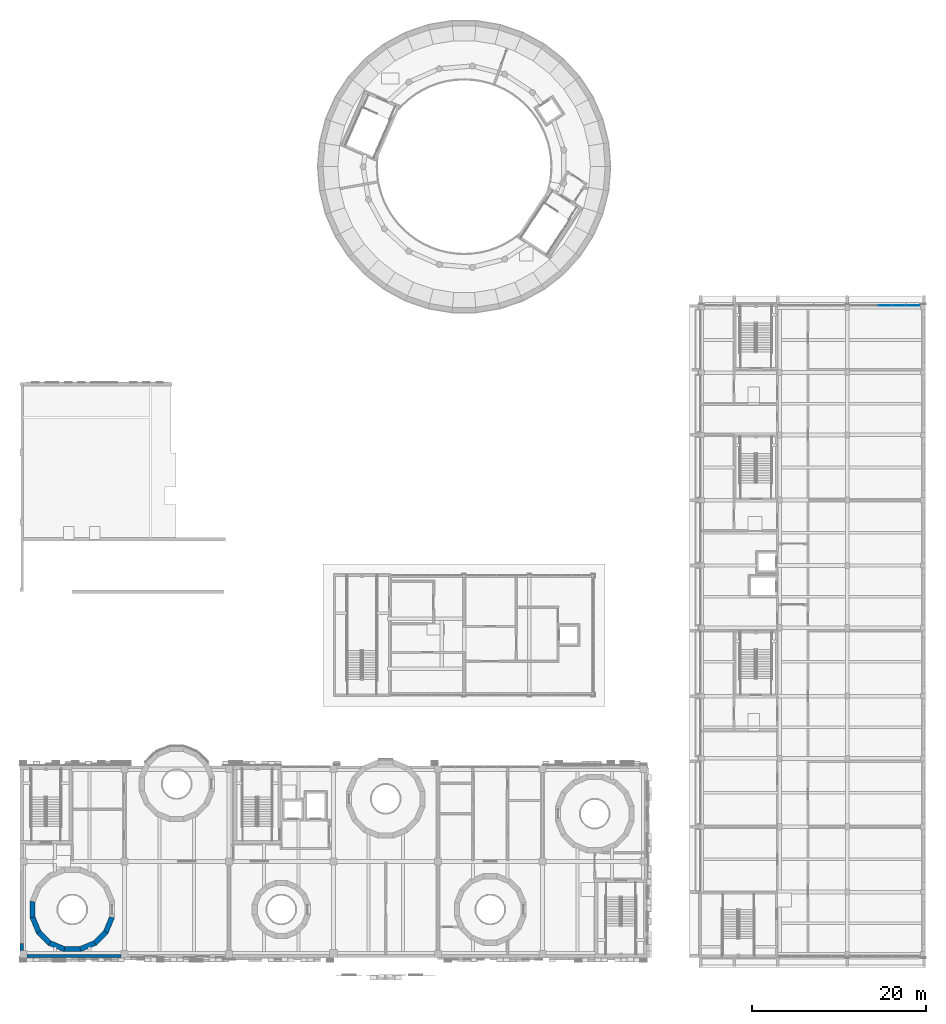
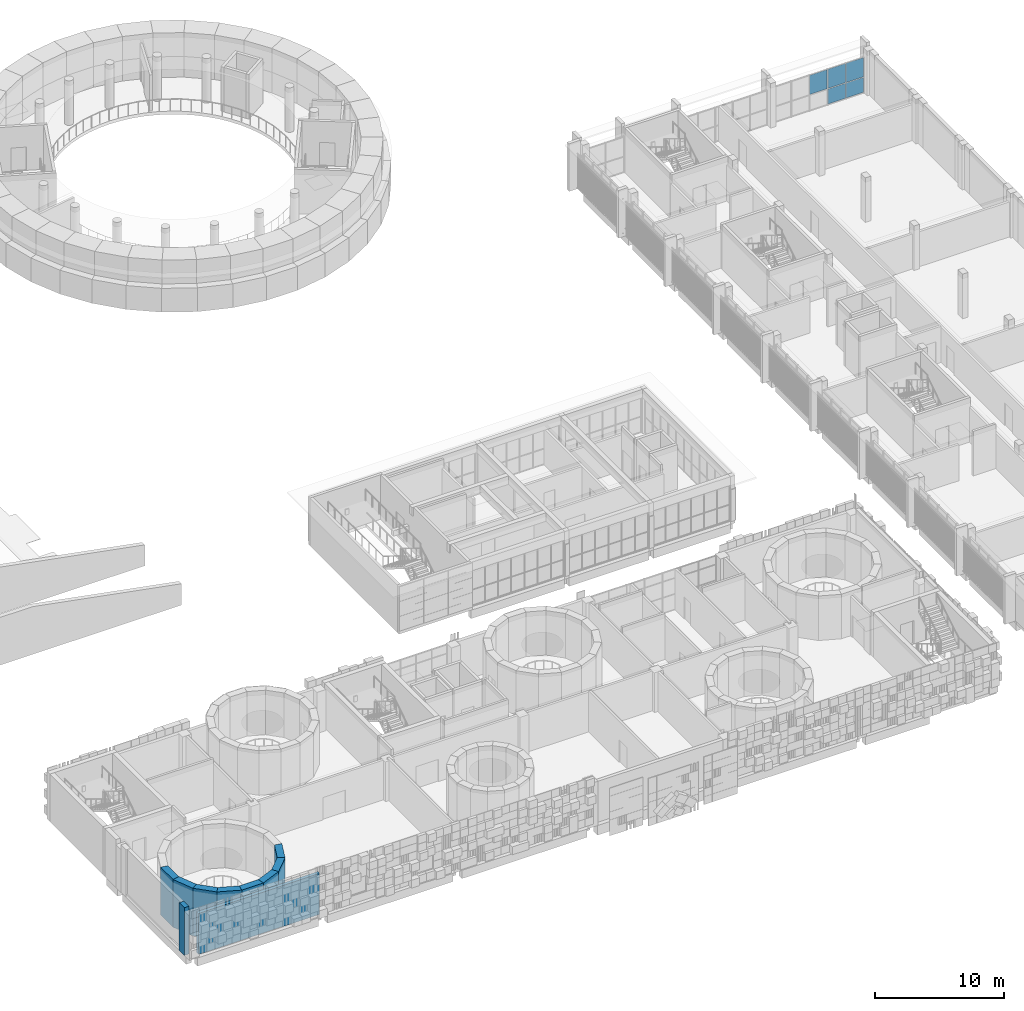
# One storey, part 45 of 92: 10 walls, 5 plates, 1 element without a shape of its own.
"""IFC4 building model written with IfcOpenShell, lengths in metres."""

from ifc_helpers import new_model, si_unit, direction, frame, frame_2d, origin, origin_2d, place, context, subcontext, project, spatial, polyline, rectangle, outline, extrude, material, layer, layer_set, type_object, element, aggregate, save


model = new_model("IFC4")

# Units and contexts
model_context = context("Model", 3, precision=1e-05, world=origin(), true_north=direction((0.0, 1.0)))
body_context = subcontext(model_context, "Body", "Model", "MODEL_VIEW")
ifc_project = project(units=[si_unit("LENGTHUNIT", "METRE"), si_unit("AREAUNIT", "SQUARE_METRE"), si_unit("VOLUMEUNIT", "CUBIC_METRE"), si_unit("PLANEANGLEUNIT", "RADIAN"), si_unit("MASSUNIT", "GRAM", prefix="KILO")], contexts=[model_context])

# Site, building, storey
site_placement = place(None, origin())
site = spatial("IfcSite", under=ifc_project, at=site_placement, CompositionType="ELEMENT")
building_placement = place(site_placement, origin())
building = spatial("IfcBuilding", under=site, at=building_placement, Name="Sun Court Science Centre", CompositionType="ELEMENT")
storey_placement = place(building_placement, frame((0.0, 0.0, 11.25)))
storey = spatial("IfcBuildingStorey", under=building, at=storey_placement, Name="L02", CompositionType="ELEMENT", Elevation=11.25)

# Curtain wall, plates
ifc_material_1 = material(Name="Aluminium EN AW-6063 T6", Category="aluminium")
curtain_wall_type = type_object("IfcCurtainWallType", Name="Laboratory tall bay curtain wall 1500", PredefinedType="NOTDEFINED", material=ifc_material_1)
curtain_wall_placement = place(storey_placement, origin())
curtain_wall = element("IfcCurtainWall", 1, at=curtain_wall_placement, inside=storey, type_object=curtain_wall_type, Name="Curtain wall V4 N L02 03", PredefinedType="NOTDEFINED")
ifc_material_2 = material(Name="Solar-control glass", Category="glass")
ifc_layer_1 = layer(ifc_material_2, 0.028076171875)
ifc_layer_set_1 = layer_set([ifc_layer_1], Name="Solar-control glass")
plate_type = type_object("IfcPlateType", Name="Solar-control glazing panel 8-12-8", PredefinedType="CURTAIN_PANEL", material=ifc_layer_set_1)
plate_1_placement = place(storey_placement, frame((100.955078125, 80.85009765625, 0.06005859375), z_axis=(0.0, 0.0, 1.0), x_axis=(1.0, 0.0, 0.0)))
plate_1 = element("IfcPlate", 2, at=plate_1_placement, type_object=plate_type, Name="CW2-69 panel 4.1", PredefinedType="CURTAIN_PANEL", context=body_context, shape_type="SweptSolid", body=[
    extrude(rectangle(XDim=1.570068359375, YDim=0.028076171875, at=origin_2d()), origin(), (0.0, 0.0, 1.0), 1.409912109375),
])
plate_2_placement = place(storey_placement, frame((102.570068359375, 80.85009765625, 0.06005859375), z_axis=(0.0, 0.0, 1.0), x_axis=(1.0, 0.0, 0.0)))
plate_2 = element("IfcPlate", 3, at=plate_2_placement, type_object=plate_type, Name="CW2-69 panel 5.1", PredefinedType="CURTAIN_PANEL", context=body_context, shape_type="SweptSolid", body=[
    extrude(rectangle(XDim=1.5400390625, YDim=0.028076171875, at=origin_2d()), origin(), (0.0, 0.0, 1.0), 1.409912109375),
])
plate_3_placement = place(storey_placement, frame((99.324951171875, 80.85009765625, 1.530029296875), z_axis=(0.0, 0.0, 1.0), x_axis=(1.0, 0.0, 0.0)))
plate_3 = element("IfcPlate", 4, at=plate_3_placement, type_object=plate_type, Name="CW2-69 panel 3.2", PredefinedType="CURTAIN_PANEL", context=body_context, shape_type="SweptSolid", body=[
    extrude(rectangle(XDim=1.570068359375, YDim=0.028076171875, at=origin_2d()), origin(), (0.0, 0.0, 1.0), 1.81005859375),
])
plate_4_placement = place(storey_placement, frame((100.955078125, 80.85009765625, 1.530029296875), z_axis=(0.0, 0.0, 1.0), x_axis=(1.0, 0.0, 0.0)))
plate_4 = element("IfcPlate", 5, at=plate_4_placement, type_object=plate_type, Name="CW2-69 panel 4.2", PredefinedType="CURTAIN_PANEL", context=body_context, shape_type="SweptSolid", body=[
    extrude(rectangle(XDim=1.570068359375, YDim=0.028076171875, at=origin_2d()), origin(), (0.0, 0.0, 1.0), 1.81005859375),
])
plate_5_placement = place(storey_placement, frame((102.570068359375, 80.85009765625, 1.530029296875), z_axis=(0.0, 0.0, 1.0), x_axis=(1.0, 0.0, 0.0)))
plate_5 = element("IfcPlate", 6, at=plate_5_placement, type_object=plate_type, Name="CW2-69 panel 5.2", PredefinedType="CURTAIN_PANEL", context=body_context, shape_type="SweptSolid", body=[
    extrude(rectangle(XDim=1.5400390625, YDim=0.028076171875, at=origin_2d()), origin(), (0.0, 0.0, 1.0), 1.81005859375),
])
aggregate(curtain_wall, [plate_1, plate_2, plate_3, plate_4, plate_5])

# Walls
ifc_material_3 = material(Name="Clay masonry", Category="masonry")
ifc_layer_2 = layer(ifc_material_3, 0.300048828125)
ifc_layer_set_2 = layer_set([ifc_layer_2], Name="Clay masonry")
wall_type_1 = type_object("IfcWallType", Name="Clay masonry infill wall 300", PredefinedType="SOLIDWALL", material=ifc_layer_set_2)
wall_1_placement = place(storey_placement, frame((11.60009765625, 6.14990234375, 0.0), z_axis=(0.0, 0.0, 1.0), x_axis=(-1.0, 0.0, 0.0)))
element("IfcWall", 7, at=wall_1_placement, inside=storey, type_object=wall_type_1, Name="External infill wall L02 south face 06", PredefinedType="SOLIDWALL", context=body_context, shape_type="SweptSolid", body=[
    extrude(rectangle(XDim=10.800048828125, YDim=0.300048828125, at=frame_2d((5.39990234375, 0.0))), origin(), (0.0, 0.0, 1.0), 3.860107421875),
])
ifc_material_4 = material(Name="Concrete C30/37", Category="concrete")
ifc_layer_3 = layer(ifc_material_4, 0.60009765625)
ifc_layer_set_3 = layer_set([ifc_layer_3], Name="Concrete C30/37")
wall_type_2 = type_object("IfcWallType", Name="RC cone ring wall 600", PredefinedType="SHEAR", material=ifc_layer_set_3)
wall_2_placement = place(storey_placement, frame((1.445068359375, 12.465576171875, -0.300048828125), z_axis=(0.0, 0.0, 1.0), x_axis=(0.0, -1.0, 0.0)))
element("IfcWall", 8, at=wall_2_placement, inside=storey, type_object=wall_type_2, Name="Cone 1 ring wall L02 segment 8", PredefinedType="SHEAR", context=body_context, shape_type="SweptSolid", body=[
    extrude(outline(polyline([(-0.000244140625, -0.300048828125), (1.931396484375, -0.300048828125), (1.811767578125, 0.300048828125), (0.119384765625, 0.300048828125), (-0.000244140625, -0.300048828125)])), origin(), (0.0, 0.0, 1.0), 4.5),
])
wall_3_placement = place(storey_placement, frame((1.42236328125, 10.649169921875, -0.300048828125), z_axis=(0.0, 0.0, 1.0), x_axis=(0.382630895081, -0.923901292417, 0.0)))
element("IfcWall", 9, at=wall_3_placement, inside=storey, type_object=wall_type_2, Name="Cone 1 ring wall L02 segment 9", PredefinedType="SHEAR", context=body_context, shape_type="SweptSolid", body=[
    extrude(outline(polyline([(0.0, -0.30029296875), (1.931396484375, -0.2998046875), (1.81201171875, 0.300048828125), (0.119140625, 0.300048828125), (0.0, -0.30029296875)])), origin(), (0.0, 0.0, 1.0), 4.5),
])
wall_4_placement = place(storey_placement, frame((2.096435546875, 8.962158203125, -0.300048828125), z_axis=(0.0, 0.0, 1.0), x_axis=(0.707106781187, -0.707106781187, 0.0)))
element("IfcWall", 10, at=wall_4_placement, inside=storey, type_object=wall_type_2, Name="Cone 1 ring wall L02 segment 10", PredefinedType="SHEAR", context=body_context, shape_type="SweptSolid", body=[
    extrude(outline(polyline([(0.0, -0.300048828125), (1.931396484375, -0.300048828125), (1.81201171875, 0.2998046875), (0.119384765625, 0.2998046875), (0.0, -0.300048828125)])), origin(), (0.0, 0.0, 1.0), 4.5),
])
wall_5_placement = place(storey_placement, frame((3.36474609375, 7.661376953125, -0.300048828125), z_axis=(0.0, 0.0, 1.0), x_axis=(0.923901292417, -0.382630895081, 0.0)))
element("IfcWall", 11, at=wall_5_placement, inside=storey, type_object=wall_type_2, Name="Cone 1 ring wall L02 segment 11", PredefinedType="SHEAR", context=body_context, shape_type="SweptSolid", body=[
    extrude(outline(polyline([(0.0, -0.2998046875), (1.931396484375, -0.30029296875), (1.812255859375, 0.300048828125), (0.119384765625, 0.300048828125), (0.0, -0.2998046875)])), origin(), (0.0, 0.0, 1.0), 4.5),
])
wall_6_placement = place(storey_placement, frame((5.034423828125, 6.945068359375, -0.300048828125), z_axis=(0.0, 0.0, 1.0), x_axis=(1.0, 0.0, 0.0)))
element("IfcWall", 12, at=wall_6_placement, inside=storey, type_object=wall_type_2, Name="Cone 1 ring wall L02 segment 12", PredefinedType="SHEAR", context=body_context, shape_type="SweptSolid", body=[
    extrude(outline(polyline([(-0.000244140625, -0.300048828125), (1.931396484375, -0.300048828125), (1.811767578125, 0.300048828125), (0.119384765625, 0.300048828125), (-0.000244140625, -0.300048828125)])), origin(), (0.0, 0.0, 1.0), 4.5),
])
wall_7_placement = place(storey_placement, frame((6.850830078125, 6.92236328125, -0.300048828125), z_axis=(0.0, 0.0, 1.0), x_axis=(0.923901292417, 0.382630895081, 0.0)))
element("IfcWall", 13, at=wall_7_placement, inside=storey, type_object=wall_type_2, Name="Cone 1 ring wall L02 segment 13", PredefinedType="SHEAR", context=body_context, shape_type="SweptSolid", body=[
    extrude(outline(polyline([(0.0, -0.30029296875), (1.931396484375, -0.2998046875), (1.81201171875, 0.300048828125), (0.119140625, 0.300048828125), (0.0, -0.30029296875)])), origin(), (0.0, 0.0, 1.0), 4.5),
])
wall_8_placement = place(storey_placement, frame((8.537841796875, 7.596435546875, -0.300048828125), z_axis=(0.0, 0.0, 1.0), x_axis=(0.707106781187, 0.707106781187, 0.0)))
element("IfcWall", 14, at=wall_8_placement, inside=storey, type_object=wall_type_2, Name="Cone 1 ring wall L02 segment 14", PredefinedType="SHEAR", context=body_context, shape_type="SweptSolid", body=[
    extrude(outline(polyline([(0.0, -0.300048828125), (1.931396484375, -0.300048828125), (1.81201171875, 0.2998046875), (0.119384765625, 0.2998046875), (0.0, -0.300048828125)])), origin(), (0.0, 0.0, 1.0), 4.5),
])
wall_9_placement = place(storey_placement, frame((9.838623046875, 8.86474609375, -0.300048828125), z_axis=(0.0, 0.0, 1.0), x_axis=(0.382630895081, 0.923901292417, 0.0)))
element("IfcWall", 15, at=wall_9_placement, inside=storey, type_object=wall_type_2, Name="Cone 1 ring wall L02 segment 15", PredefinedType="SHEAR", context=body_context, shape_type="SweptSolid", body=[
    extrude(outline(polyline([(0.0, -0.2998046875), (1.931396484375, -0.30029296875), (1.812255859375, 0.300048828125), (0.119384765625, 0.300048828125), (0.0, -0.2998046875)])), origin(), (0.0, 0.0, 1.0), 4.5),
])
ifc_material_5 = material(Name="Concrete C30/37", Category="concrete")
ifc_layer_4 = layer(ifc_material_5, 0.39990234375)
ifc_layer_set_4 = layer_set([ifc_layer_4], Name="Concrete C30/37")
wall_type_3 = type_object("IfcWallType", Name="RC party wall exterior 400", PredefinedType="SOLIDWALL", material=ifc_layer_set_4)
wall_10_placement = place(storey_placement, frame((0.199951171875, 6.800048828125, -0.300048828125), z_axis=(0.0, 0.0, 1.0), x_axis=(0.0, 1.0, 0.0)))
element("IfcWall", 16, at=wall_10_placement, inside=storey, type_object=wall_type_3, Name="West party wall L02", PredefinedType="SOLIDWALL", context=body_context, shape_type="SweptSolid", body=[
    extrude(rectangle(XDim=0.800048828125, YDim=0.39990234375, at=frame_2d((0.39990234375, 0.0))), origin(), (0.0, 0.0, 1.0), 4.5),
])

save(model, "model.ifc")
